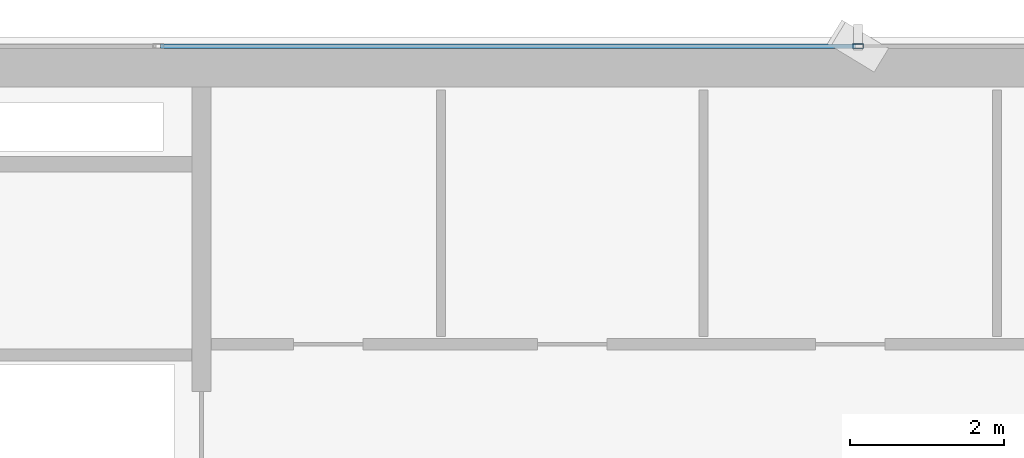
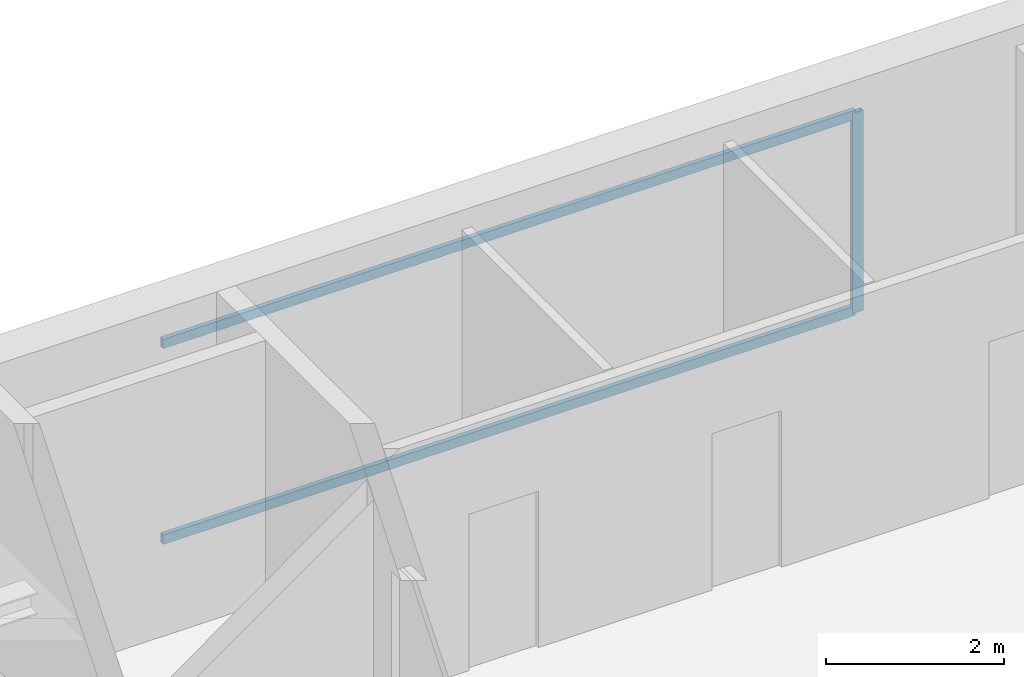
# One storey, part 16 of 25: 3 members, 1 element without a shape of its own.
"""IFC4 building model written with IfcOpenShell, lengths in metres."""

from ifc_helpers import new_model, si_unit, direction, frame, origin, origin_2d, place, context, subcontext, project, spatial, hollow_rectangle, extrude, source, transform, mapped, material, layer, layer_set, material_profile, profile_set, type_object, element, aggregate, save


model = new_model("IFC4")

# Units and contexts
model_context = context("Model", 3, precision=1e-05, world=origin(), true_north=direction((0.0, 1.0)))
body_context = subcontext(model_context, "Body", "Model", "MODEL_VIEW")
ifc_project = project(units=[si_unit("LENGTHUNIT", "METRE"), si_unit("AREAUNIT", "SQUARE_METRE"), si_unit("VOLUMEUNIT", "CUBIC_METRE"), si_unit("PLANEANGLEUNIT", "RADIAN"), si_unit("MASSUNIT", "GRAM", prefix="KILO")], contexts=[model_context])

# Site, building, storey
site_placement = place(None, origin())
site = spatial("IfcSite", under=ifc_project, at=site_placement, CompositionType="ELEMENT")
building_placement = place(site_placement, origin())
building = spatial("IfcBuilding", under=site, at=building_placement, Name="Sumidabori Civic Tower", CompositionType="ELEMENT")
storey_placement = place(building_placement, frame((0.0, 0.0, 239.60009765625)))
storey = spatial("IfcBuildingStorey", under=building, at=storey_placement, Name="L62", CompositionType="ELEMENT", Elevation=239.60009765625)

# Curtain wall, members
ifc_material = material(Name="Anodised Bronze Aluminium AW-6063-T6", Category="aluminium")
ifc_layer = layer(ifc_material, 0.179931640625, Name="Anodised Bronze Aluminium AW-6063-T6")
ifc_layer_set = layer_set([ifc_layer], Name="Anodised Bronze Aluminium AW-6063-T6")
curtain_wall_type = type_object("IfcCurtainWallType", Name="CW-SYS-5", PredefinedType="NOTDEFINED", material=ifc_layer_set)
curtain_wall_placement = place(storey_placement, origin())
curtain_wall = element("IfcCurtainWall", 1, at=curtain_wall_placement, inside=storey, type_object=curtain_wall_type, Name="Curtain Wall CW:L62:R07", PredefinedType="NOTDEFINED")
ifc_material_profile_1 = material_profile(ifc_material, hollow_rectangle(XDim=0.06005859375, YDim=0.139892578125, WallThickness=0.0048828125, at=origin_2d()), Name="ALU MULLION 140x60")
ifc_profile_set_1 = profile_set([ifc_material_profile_1], Name="Anodised Bronze Aluminium AW-6063-T6")
member_type_1 = type_object("IfcMemberType", Name="CW-MUL-140", PredefinedType="MULLION", material=ifc_profile_set_1)
shared_shape_1 = source(origin(), body_context, "Body", "SweptSolid", [
    extrude(hollow_rectangle(XDim=0.06005859375, YDim=0.139892578125, WallThickness=0.0048828125, at=origin_2d()), origin(), (0.0, 0.0, 1.0), 2.75),
])
member_1_placement = place(storey_placement, frame((0.0, 24.080078125, 0.0), z_axis=(0.0, 0.0, 1.0), x_axis=(0.0, -1.0, 0.0)))
member_1 = element("IfcMember", 2, at=member_1_placement, type_object=member_type_1, Name="CW-5 mullion 3", PredefinedType="MULLION", context=body_context, shape_type="MappedRepresentation", body=[
    mapped(shared_shape_1, transform((0.0, 0.0, 0.0), x_axis=(1.0, 0.0, 0.0), y_axis=(0.0, 1.0, 0.0), z_axis=(0.0, 0.0, 1.0), scale=1.0)),
])
ifc_material_profile_2 = material_profile(ifc_material, hollow_rectangle(XDim=0.06005859375, YDim=0.1298828125, WallThickness=0.0048828125, at=origin_2d()), Name="ALU TRANSOM 130x60")
ifc_profile_set_2 = profile_set([ifc_material_profile_2], Name="Anodised Bronze Aluminium AW-6063-T6")
member_type_2 = type_object("IfcMemberType", Name="CW-TRN-130", PredefinedType="USERDEFINED", material=ifc_profile_set_2)
shared_shape_2 = source(origin(), body_context, "Body", "SweptSolid", [
    extrude(hollow_rectangle(XDim=0.06005859375, YDim=0.1298828125, WallThickness=0.0048828125, at=origin_2d()), origin(), (0.0, 0.0, 1.0), 9.0),
])
member_2_placement = place(storey_placement, frame((-0.030029296875, 24.080078125, 0.02978515625), z_axis=(-1.0, 0.0, 0.0), x_axis=(0.0, -1.0, 0.0)))
member_2 = element("IfcMember", 3, at=member_2_placement, type_object=member_type_2, Name="CW-5 transom 3.1", ObjectType="TRANSOM", PredefinedType="USERDEFINED", context=body_context, shape_type="MappedRepresentation", body=[
    mapped(shared_shape_2, transform((0.0, 0.0, 0.0), x_axis=(1.0, 0.0, 0.0), y_axis=(0.0, 1.0, 0.0), z_axis=(0.0, 0.0, 1.0), scale=1.0)),
])
member_3_placement = place(storey_placement, frame((-0.030029296875, 24.080078125, 2.719970703125), z_axis=(-1.0, 0.0, 0.0), x_axis=(0.0, -1.0, 0.0)))
member_3 = element("IfcMember", 4, at=member_3_placement, type_object=member_type_2, Name="CW-5 transom 3.2", ObjectType="TRANSOM", PredefinedType="USERDEFINED", context=body_context, shape_type="MappedRepresentation", body=[
    mapped(shared_shape_2, transform((0.0, 0.0, 0.0), x_axis=(1.0, 0.0, 0.0), y_axis=(0.0, 1.0, 0.0), z_axis=(0.0, 0.0, 1.0), scale=1.0)),
])
aggregate(curtain_wall, [member_1, member_2, member_3])

save(model, "model.ifc")
